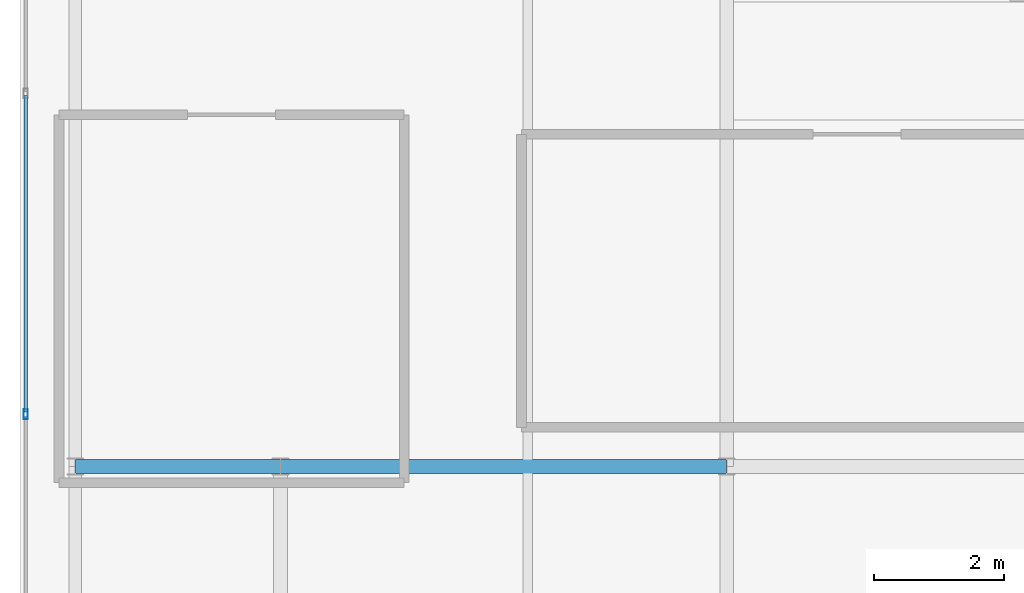
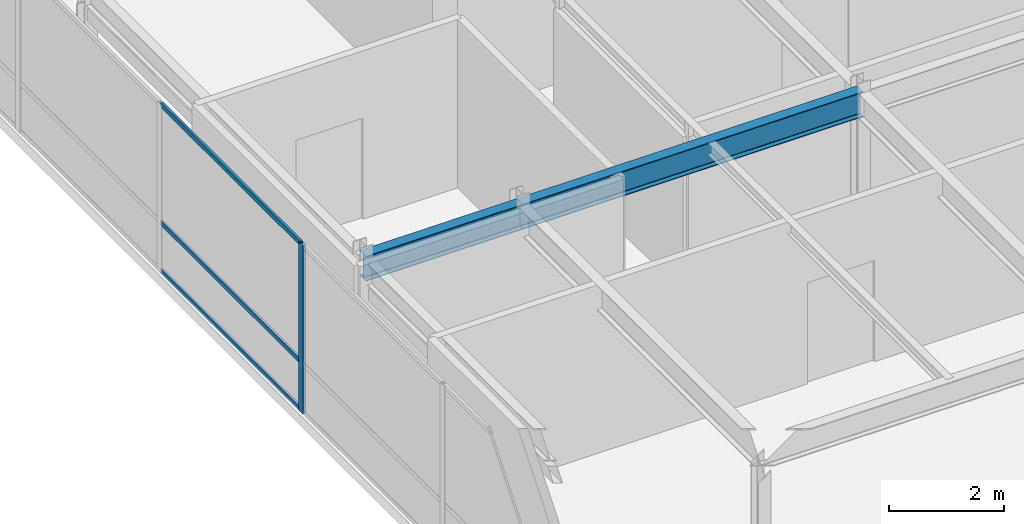
# One storey, part 16 of 36: 4 members, 2 beams, 1 element without a shape of its own.
"""IFC4 building model written with IfcOpenShell, lengths in metres."""

from ifc_helpers import new_model, si_unit, direction, frame, origin, origin_2d, place, context, subcontext, project, spatial, hollow_rectangle, i_section, extrude, source, transform, mapped, material, layer, layer_set, material_profile, profile_set, type_object, type_shapes, element, aggregate, save


model = new_model("IFC4")

# Units and contexts
model_context = context("Model", 3, precision=1e-05, world=origin(), true_north=direction((0.0, 1.0)))
body_context = subcontext(model_context, "Body", "Model", "MODEL_VIEW")
ifc_project = project(units=[si_unit("LENGTHUNIT", "METRE"), si_unit("AREAUNIT", "SQUARE_METRE"), si_unit("VOLUMEUNIT", "CUBIC_METRE"), si_unit("PLANEANGLEUNIT", "RADIAN"), si_unit("MASSUNIT", "GRAM", prefix="KILO")], contexts=[model_context])

# Site, building, storey
site_placement = place(None, origin())
site = spatial("IfcSite", under=ifc_project, at=site_placement, CompositionType="ELEMENT")
building_placement = place(site_placement, origin())
building = spatial("IfcBuilding", under=site, at=building_placement, Name="Tolvann Quenvar Hotel", CompositionType="ELEMENT")
storey_placement = place(building_placement, frame((0.0, 0.0, 298.550048828125)))
storey = spatial("IfcBuildingStorey", under=building, at=storey_placement, Name="L79", CompositionType="ELEMENT", Elevation=298.550048828125)

# Beams
ifc_material_1 = material(Name="Steel Grade 350", Category="steel")
ifc_material_profile_1 = material_profile(ifc_material_1, i_section(OverallWidth=0.208984375, OverallDepth=0.532958984375, WebThickness=0.01025390625, FlangeThickness=0.015625, FilletRadius=0.013916015625, at=origin_2d()), Name="530UB92")
ifc_profile_set_1 = profile_set([ifc_material_profile_1], Name="Steel Grade 350")
beam_type = type_object("IfcBeamType", Name="BM_GIRD_530UB92", PredefinedType="BEAM", material=ifc_profile_set_1)
shared_shape_1 = source(origin(), body_context, "Body", "SweptSolid", [
    extrude(i_section(OverallWidth=0.208984375, OverallDepth=0.532958984375, WebThickness=0.01025390625, FlangeThickness=0.015625, FilletRadius=0.013916015625, at=origin_2d()), origin(), (0.0, 0.0, 1.0), 6.849853515625),
])
beam_1_placement = place(storey_placement, frame((7.60009765625, 24.39990234375, 3.3134765625), z_axis=(1.0, 0.0, 0.0), x_axis=(0.0, 1.0, 0.0)))
element("IfcBeam", 1, at=beam_1_placement, inside=storey, type_object=beam_type, Name="BM-L79-EW-5-C5-D5", PredefinedType="BEAM", context=body_context, shape_type="MappedRepresentation", body=[
    mapped(shared_shape_1, transform((0.0, 0.0, 0.0), x_axis=(1.0, 0.0, 0.0), y_axis=(0.0, 1.0, 0.0), z_axis=(0.0, 0.0, 1.0), scale=1.0)),
])
shared_shape_2 = source(origin(), body_context, "Body", "SweptSolid", [
    extrude(i_section(OverallWidth=0.208984375, OverallDepth=0.532958984375, WebThickness=0.01025390625, FlangeThickness=0.015625, FilletRadius=0.013916015625, at=origin_2d()), origin(), (0.0, 0.0, 1.0), 3.150146484375),
])
type_shapes(beam_type, [shared_shape_1, shared_shape_2])
beam_2_placement = place(storey_placement, frame((4.449951171875, 24.39990234375, 3.3134765625), z_axis=(1.0, 0.0, 0.0), x_axis=(0.0, 1.0, 0.0)))
element("IfcBeam", 2, at=beam_2_placement, inside=storey, type_object=beam_type, Name="BM-L79-EW-5-B5-C5", PredefinedType="BEAM", context=body_context, shape_type="MappedRepresentation", body=[
    mapped(shared_shape_2, transform((0.0, 0.0, 0.0), x_axis=(1.0, 0.0, 0.0), y_axis=(0.0, 1.0, 0.0), z_axis=(0.0, 0.0, 1.0), scale=1.0)),
])

# Curtain wall, members
ifc_material_2 = material(Name="Thermally broken anodised architectural aluminium 6063-T6 and laminated low-E glass", Category="aluminium")
ifc_layer = layer(ifc_material_2, 0.179931640625)
ifc_layer_set = layer_set([ifc_layer], Name="Thermally broken anodised architectural aluminium 6063-T6 and laminated low-E glass")
curtain_wall_type = type_object("IfcCurtainWallType", Name="CW_SYS_LANT_06", PredefinedType="USERDEFINED", material=ifc_layer_set)
curtain_wall_placement = place(storey_placement, origin())
curtain_wall = element("IfcCurtainWall", 3, at=curtain_wall_placement, inside=storey, type_object=curtain_wall_type, Name="Curtain Wall CW-LANT-06 (CWR-L79-E19)", ObjectType="UNITISED CURTAIN WALL", PredefinedType="USERDEFINED")
ifc_material_3 = material(Name="Anodised architectural aluminium 6063-T6 framing", Category="aluminium")
ifc_material_profile_2 = material_profile(ifc_material_3, hollow_rectangle(XDim=0.050048828125, YDim=0.10009765625, WallThickness=0.0029296875, at=origin_2d()), Name="100x50x3RHS")
ifc_profile_set_2 = profile_set([ifc_material_profile_2], Name="Anodised architectural aluminium 6063-T6 framing")
member_type_1 = type_object("IfcMemberType", Name="CW_TRAN_100x50", PredefinedType="USERDEFINED", material=ifc_profile_set_2)
shared_shape_3 = source(origin(), body_context, "Body", "SweptSolid", [
    extrude(hollow_rectangle(XDim=0.050048828125, YDim=0.10009765625, WallThickness=0.0029296875, at=origin_2d()), origin(), (0.0, 0.0, 1.0), 4.86279296875),
])
type_shapes(member_type_1, [shared_shape_3])
member_1_placement = place(storey_placement, frame((3.68994140625, 30.09521484375, 0.02490234375), z_axis=(0.0, -1.0, 0.0), x_axis=(1.0, 0.0, 0.0)))
member_1 = element("IfcMember", 4, at=member_1_placement, type_object=member_type_1, Name="CW-LANT-06 transom 3.1", ObjectType="TRANSOM", PredefinedType="USERDEFINED", context=body_context, shape_type="MappedRepresentation", body=[
    mapped(shared_shape_3, transform((0.0, 0.0, 0.0), x_axis=(1.0, 0.0, 0.0), y_axis=(0.0, 1.0, 0.0), z_axis=(0.0, 0.0, 1.0), scale=1.0)),
])
member_2_placement = place(storey_placement, frame((3.68994140625, 30.09521484375, 1.050048828125), z_axis=(0.0, -1.0, 0.0), x_axis=(1.0, 0.0, 0.0)))
member_2 = element("IfcMember", 5, at=member_2_placement, type_object=member_type_1, Name="CW-LANT-06 transom 3.2", ObjectType="TRANSOM", PredefinedType="USERDEFINED", context=body_context, shape_type="MappedRepresentation", body=[
    mapped(shared_shape_3, transform((0.0, 0.0, 0.0), x_axis=(1.0, 0.0, 0.0), y_axis=(0.0, 1.0, 0.0), z_axis=(0.0, 0.0, 1.0), scale=1.0)),
])
member_3_placement = place(storey_placement, frame((3.68994140625, 30.09521484375, 3.554931640625), z_axis=(0.0, -1.0, 0.0), x_axis=(1.0, 0.0, 0.0)))
member_3 = element("IfcMember", 6, at=member_3_placement, type_object=member_type_1, Name="CW-LANT-06 transom 3.3", ObjectType="TRANSOM", PredefinedType="USERDEFINED", context=body_context, shape_type="MappedRepresentation", body=[
    mapped(shared_shape_3, transform((0.0, 0.0, 0.0), x_axis=(1.0, 0.0, 0.0), y_axis=(0.0, 1.0, 0.0), z_axis=(0.0, 0.0, 1.0), scale=1.0)),
])
ifc_material_profile_3 = material_profile(ifc_material_3, hollow_rectangle(XDim=0.06494140625, YDim=0.14990234375, WallThickness=0.00390625, at=origin_2d()), Name="150x65x4RHS")
ifc_profile_set_3 = profile_set([ifc_material_profile_3], Name="Anodised architectural aluminium 6063-T6 framing")
member_type_2 = type_object("IfcMemberType", Name="CW_MULL_150x65", PredefinedType="MULLION", material=ifc_profile_set_3)
shared_shape_4 = source(origin(), body_context, "Body", "SweptSolid", [
    extrude(hollow_rectangle(XDim=0.06494140625, YDim=0.14990234375, WallThickness=0.00390625, at=origin_2d()), origin(), (0.0, 0.0, 1.0), 3.579833984375),
])
type_shapes(member_type_2, [shared_shape_4])
member_4_placement = place(storey_placement, frame((3.68994140625, 25.199951171875, 0.0), z_axis=(0.0, 0.0, 1.0), x_axis=(1.0, 0.0, 0.0)))
member_4 = element("IfcMember", 7, at=member_4_placement, type_object=member_type_2, Name="CW-LANT-06 mullion 4", PredefinedType="MULLION", context=body_context, shape_type="MappedRepresentation", body=[
    mapped(shared_shape_4, transform((0.0, 0.0, 0.0), x_axis=(1.0, 0.0, 0.0), y_axis=(0.0, 1.0, 0.0), z_axis=(0.0, 0.0, 1.0), scale=1.0)),
])
aggregate(curtain_wall, [member_4, member_1, member_2, member_3])

save(model, "model.ifc")
